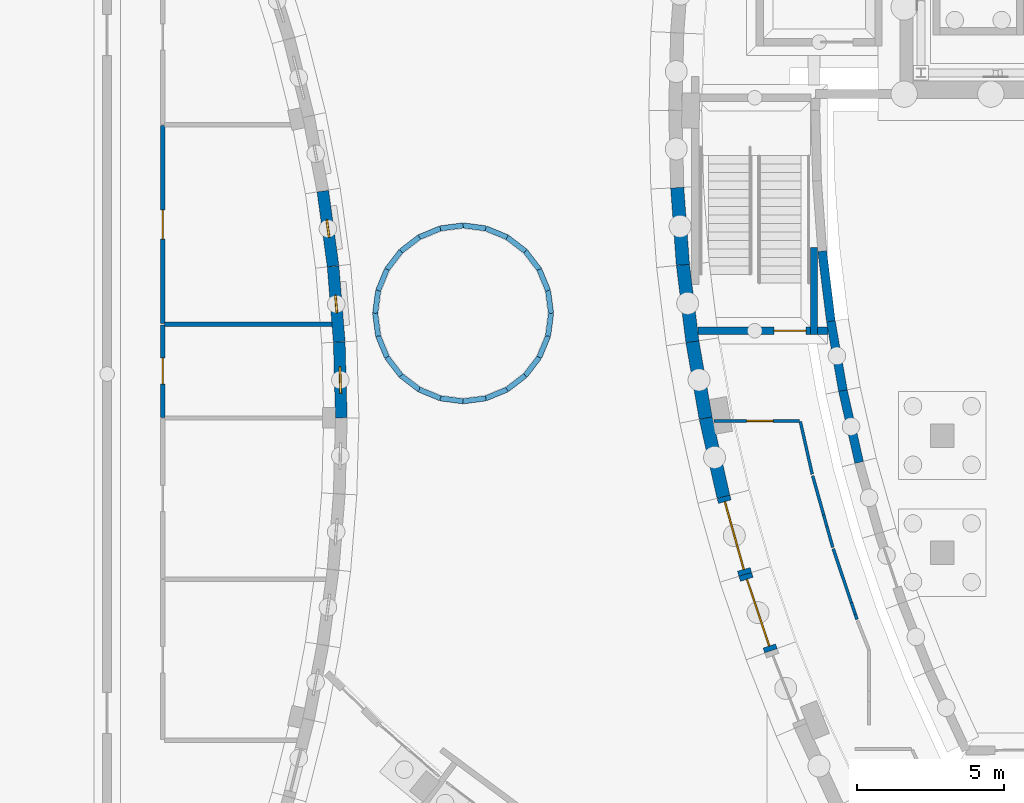
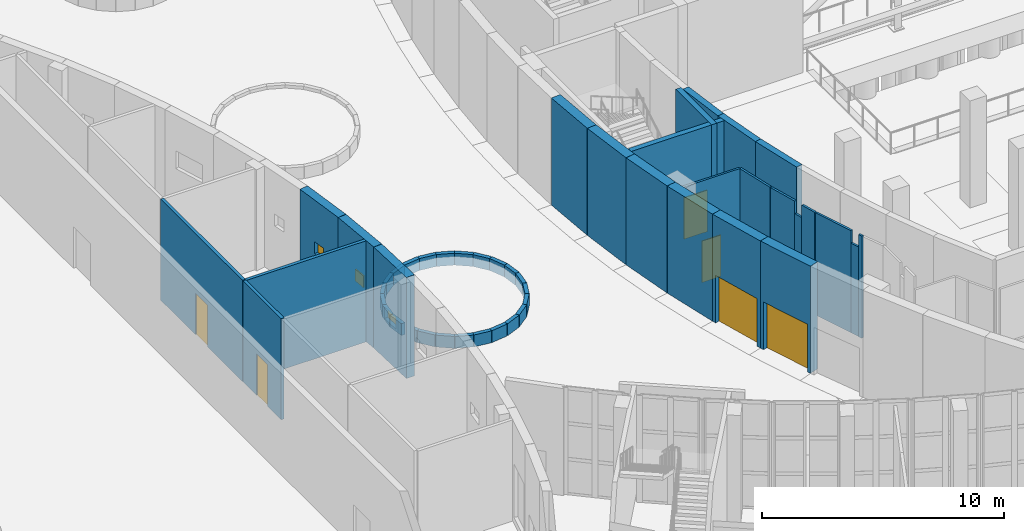
# One storey, part 45 of 82: 49 walls, 6 doors, 3 windows, 9 openings.
"""IFC4 building model written with IfcOpenShell, lengths in metres."""

from ifc_helpers import new_model, si_unit, direction, frame, frame_2d, origin, place, context, subcontext, project, spatial, rectangle, extrude, material, layer, layer_set, type_object, element, fill, save


model = new_model("IFC4")

# Units and contexts
model_context = context("Model", 3, precision=1e-05, world=origin(), true_north=direction((0.0, 1.0)))
body_context = subcontext(model_context, "Body", "Model", "MODEL_VIEW")
ifc_project = project(units=[si_unit("LENGTHUNIT", "METRE"), si_unit("AREAUNIT", "SQUARE_METRE"), si_unit("VOLUMEUNIT", "CUBIC_METRE"), si_unit("PLANEANGLEUNIT", "RADIAN"), si_unit("MASSUNIT", "GRAM", prefix="KILO")], contexts=[model_context])

# Site, building, storey
site_placement = place(None, origin())
site = spatial("IfcSite", under=ifc_project, at=site_placement, CompositionType="ELEMENT")
building_placement = place(site_placement, origin())
building = spatial("IfcBuilding", under=site, at=building_placement, Name="Tide Square Theatres", CompositionType="ELEMENT")
storey_placement = place(building_placement, origin())
storey = spatial("IfcBuildingStorey", under=building, at=storey_placement, Name="L00", CompositionType="ELEMENT", Elevation=0.0)

# Wall, opening, door
ifc_material_1 = material(Name="Gypsum board on steel studs", Category="steel")
ifc_layer_1 = layer(ifc_material_1, 0.10009765625)
ifc_layer_set_1 = layer_set([ifc_layer_1], Name="Gypsum board on steel studs")
wall_type_1 = type_object("IfcWallType", Name="Partition 100 thick", PredefinedType="PARTITIONING", material=ifc_layer_set_1)
wall_1_placement = place(storey_placement, frame((64.21826171875, 44.39990234375, 0.0), z_axis=(0.0, 0.0, 1.0), x_axis=(1.0, 0.0, 0.0)))
wall_1 = element("IfcWall", 1, at=wall_1_placement, inside=storey, type_object=wall_type_1, Name="Partition", PredefinedType="PARTITIONING", context=body_context, shape_type="SweptSolid", body=[
    extrude(rectangle(XDim=2.913818359375, YDim=0.10009765625, at=frame_2d((1.45703125, 0.0))), origin(), (0.0, 0.0, 1.0), 5.14990234375),
])
opening_1_placement = place(wall_1_placement, frame((1.10693359375, 0.0, 0.0)))
opening_1 = element("IfcOpeningElement", 2, at=opening_1_placement, cuts=wall_1, Name="Opening M00-29", PredefinedType="OPENING", context=body_context, shape_type="SweptSolid", body=[
    extrude(rectangle(XDim=0.89990234375, YDim=2.10009765625, at=frame_2d((0.449951171875, 1.050048828125))), frame((0.0, 0.06005859375, 0.0), z_axis=(0.0, -1.0, 0.0), x_axis=(1.0, 0.0, 0.0)), (0.0, 0.0, 1.0), 0.1201171875),
])
ifc_material_2 = material(Name="Hardwood timber", Category="wood")
door_type_1 = type_object("IfcDoorType", Name="Door 900 x 2100 single leaf", OperationType="NOTDEFINED", PredefinedType="DOOR", material=ifc_material_2)
door_1_placement = place(opening_1_placement, frame((0.89990234375, 0.0, 0.0), z_axis=(0.0, 0.0, 1.0), x_axis=(-1.0, 0.0, 0.0)))
door_1 = element("IfcDoor", 3, at=door_1_placement, inside=storey, type_object=door_type_1, Name="Wardrobe Workroom door", OperationType="SINGLE_SWING_LEFT", OverallHeight=2.10009765625, OverallWidth=0.89990234375, PredefinedType="DOOR", context=body_context, shape_type="SweptSolid", body=[
    extrude(rectangle(XDim=0.89990234375, YDim=2.10009765625, at=frame_2d((0.449951171875, 1.050048828125))), frame((0.0, 0.02490234375, 0.0), z_axis=(0.0, -1.0, 0.0), x_axis=(1.0, 0.0, 0.0)), (0.0, 0.0, 1.0), 0.050048828125),
])
fill(opening_1, door_1)

# Walls
wall_2_placement = place(storey_placement, frame((67.15771484375, 44.37158203125, 0.0), z_axis=(0.0, 0.0, 1.0), x_axis=(0.220375030029, -0.9754152173, 0.0)))
element("IfcWall", 4, at=wall_2_placement, inside=storey, type_object=wall_type_1, Name="Partition", PredefinedType="PARTITIONING", context=body_context, shape_type="SweptSolid", body=[
    extrude(rectangle(XDim=1.837890625, YDim=0.10009765625, at=frame_2d((0.9189453125, 0.0))), origin(), (0.0, 0.0, 1.0), 5.14990234375),
])
wall_3_placement = place(storey_placement, frame((67.576416015625, 42.530029296875, 0.0), z_axis=(0.0, 0.0, 1.0), x_axis=(0.270047530382, -0.962846992691, 0.0)))
element("IfcWall", 5, at=wall_3_placement, inside=storey, type_object=wall_type_1, Name="Partition", PredefinedType="PARTITIONING", context=body_context, shape_type="SweptSolid", body=[
    extrude(rectangle(XDim=1.3876953125, YDim=0.10009765625, at=frame_2d((0.69384765625, 0.0))), origin(), (0.0, 0.0, 1.0), 5.14990234375),
])
wall_4_placement = place(storey_placement, frame((67.951171875, 41.19384765625, 0.0), z_axis=(0.0, 0.0, 1.0), x_axis=(0.26983234105, -0.962907320423, 0.0)))
element("IfcWall", 6, at=wall_4_placement, inside=storey, type_object=wall_type_1, Name="Partition", PredefinedType="PARTITIONING", context=body_context, shape_type="SweptSolid", body=[
    extrude(rectangle(XDim=0.402587890625, YDim=0.10009765625, at=frame_2d((0.201171875, 0.0))), origin(), (0.0, 0.0, 1.0), 4.52001953125),
])
wall_5_placement = place(storey_placement, frame((68.059814453125, 40.80615234375, 0.0), z_axis=(0.0, 0.0, 1.0), x_axis=(0.270039714022, -0.962849184894, 0.0)))
element("IfcWall", 7, at=wall_5_placement, inside=storey, type_object=wall_type_1, Name="Partition", PredefinedType="PARTITIONING", context=body_context, shape_type="SweptSolid", body=[
    extrude(rectangle(XDim=0.751220703125, YDim=0.10009765625, at=frame_2d((0.37548828125, 0.0))), origin(), (0.0, 0.0, 1.0), 5.14990234375),
])
wall_6_placement = place(storey_placement, frame((68.27880859375, 40.034912109375, 0.0), z_axis=(0.0, 0.0, 1.0), x_axis=(0.318794077013, -0.947824000784, 0.0)))
element("IfcWall", 8, at=wall_6_placement, inside=storey, type_object=wall_type_1, Name="Partition", PredefinedType="PARTITIONING", context=body_context, shape_type="SweptSolid", body=[
    extrude(rectangle(XDim=1.93994140625, YDim=0.10009765625, at=frame_2d((0.969970703125, 0.0))), origin(), (0.0, 0.0, 1.0), 5.14990234375),
])
wall_7_placement = place(storey_placement, frame((68.897216796875, 38.1962890625, 0.0), z_axis=(0.0, 0.0, 1.0), x_axis=(0.318878942687, -0.947795452569, 0.0)))
element("IfcWall", 9, at=wall_7_placement, inside=storey, type_object=wall_type_1, Name="Partition", PredefinedType="PARTITIONING", context=body_context, shape_type="SweptSolid", body=[
    extrude(rectangle(XDim=0.414306640625, YDim=0.10009765625, at=frame_2d((0.20703125, 0.0))), origin(), (0.0, 0.0, 1.0), 4.52001953125),
])
wall_8_placement = place(storey_placement, frame((69.029296875, 37.8037109375, 0.0), z_axis=(0.0, 0.0, 1.0), x_axis=(0.319734887824, -0.947507045625, 0.0)))
element("IfcWall", 10, at=wall_8_placement, inside=storey, type_object=wall_type_1, Name="Partition", PredefinedType="PARTITIONING", context=body_context, shape_type="SweptSolid", body=[
    extrude(rectangle(XDim=0.187744140625, YDim=0.10009765625, at=frame_2d((0.09375, 0.0))), origin(), (0.0, 0.0, 1.0), 5.14990234375),
])

# Wall, opening, door
ifc_material_3 = material(Name="Gypsum board on steel studs", Category="steel")
ifc_layer_2 = layer(ifc_material_3, 0.14990234375)
ifc_layer_set_2 = layer_set([ifc_layer_2], Name="Gypsum board on steel studs")
wall_type_2 = type_object("IfcWallType", Name="Partition 150 thick", PredefinedType="PARTITIONING", material=ifc_layer_set_2)
wall_9_placement = place(storey_placement, frame((45.39990234375, 47.679931640625, 0.0), z_axis=(0.0, 0.0, 1.0), x_axis=(0.0, -1.0, 0.0)))
wall_9 = element("IfcWall", 11, at=wall_9_placement, inside=storey, type_object=wall_type_2, Name="Studio Theatre partition", PredefinedType="PARTITIONING", context=body_context, shape_type="SweptSolid", body=[
    extrude(rectangle(XDim=3.159912109375, YDim=0.14990234375, at=frame_2d((1.580078125, 0.0))), origin(), (0.0, 0.0, 1.0), 5.10009765625),
])
opening_2_placement = place(wall_9_placement, frame((1.1298828125, 0.0, 0.0)))
opening_2 = element("IfcOpeningElement", 12, at=opening_2_placement, cuts=wall_9, Name="Opening S00-21", PredefinedType="OPENING", context=body_context, shape_type="SweptSolid", body=[
    extrude(rectangle(XDim=0.89990234375, YDim=2.10009765625, at=frame_2d((0.449951171875, 1.050048828125))), frame((0.0, 0.0849609375, 0.0), z_axis=(0.0, -1.0, 0.0), x_axis=(1.0, 0.0, 0.0)), (0.0, 0.0, 1.0), 0.169921875),
])
door_2_placement = place(opening_2_placement, origin())
door_2 = element("IfcDoor", 13, at=door_2_placement, inside=storey, type_object=door_type_1, Name="Accessible WC door", OperationType="SINGLE_SWING_RIGHT", OverallHeight=2.10009765625, OverallWidth=0.89990234375, PredefinedType="DOOR", context=body_context, shape_type="SweptSolid", body=[
    extrude(rectangle(XDim=0.89990234375, YDim=2.10009765625, at=frame_2d((0.449951171875, 1.050048828125))), frame((0.0, 0.02490234375, 0.0), z_axis=(0.0, -1.0, 0.0), x_axis=(1.0, 0.0, 0.0)), (0.0, 0.0, 1.0), 0.050048828125),
])
fill(opening_2, door_2)

wall_10_placement = place(storey_placement, frame((45.39990234375, 54.47998046875, 0.0), z_axis=(0.0, 0.0, 1.0), x_axis=(0.0, -1.0, 0.0)))
wall_10 = element("IfcWall", 14, at=wall_10_placement, inside=storey, type_object=wall_type_2, Name="Studio Theatre partition", PredefinedType="PARTITIONING", context=body_context, shape_type="SweptSolid", body=[
    extrude(rectangle(XDim=6.760009765625, YDim=0.14990234375, at=frame_2d((3.3798828125, 0.0))), origin(), (0.0, 0.0, 1.0), 5.10009765625),
])
opening_3_placement = place(wall_10_placement, frame((2.8798828125, 0.0, 0.0)))
opening_3 = element("IfcOpeningElement", 15, at=opening_3_placement, cuts=wall_10, Name="Opening S00-22", PredefinedType="OPENING", context=body_context, shape_type="SweptSolid", body=[
    extrude(rectangle(XDim=1.0, YDim=2.10009765625, at=frame_2d((0.5, 1.050048828125))), frame((0.0, 0.0849609375, 0.0), z_axis=(0.0, -1.0, 0.0), x_axis=(1.0, 0.0, 0.0)), (0.0, 0.0, 1.0), 0.169921875),
])
ifc_material_4 = material(Name="Hardwood timber", Category="wood")
door_type_2 = type_object("IfcDoorType", Name="Door 1000 x 2100 single leaf", OperationType="NOTDEFINED", PredefinedType="DOOR", material=ifc_material_4)
door_3_placement = place(opening_3_placement, origin())
door_3 = element("IfcDoor", 16, at=door_3_placement, inside=storey, type_object=door_type_2, Name="Plant Room 01 door", OperationType="SINGLE_SWING_RIGHT", OverallHeight=2.10009765625, OverallWidth=1.0, PredefinedType="DOOR", context=body_context, shape_type="SweptSolid", body=[
    extrude(rectangle(XDim=1.0, YDim=2.10009765625, at=frame_2d((0.5, 1.050048828125))), frame((0.0, 0.02490234375, 0.0), z_axis=(0.0, -1.0, 0.0), x_axis=(1.0, 0.0, 0.0)), (0.0, 0.0, 1.0), 0.050048828125),
])
fill(opening_3, door_3)

# Wall
wall_11_placement = place(storey_placement, frame((45.4599609375, 47.699951171875, 0.0), z_axis=(0.0, 0.0, 1.0), x_axis=(1.0, 0.0, 0.0)))
element("IfcWall", 17, at=wall_11_placement, inside=storey, type_object=wall_type_2, Name="Studio Theatre partition", PredefinedType="PARTITIONING", context=body_context, shape_type="SweptSolid", body=[
    extrude(rectangle(XDim=5.712646484375, YDim=0.14990234375, at=frame_2d((2.8564453125, 0.0))), origin(), (0.0, 0.0, 1.0), 5.10009765625),
])

# Wall, opening, window
ifc_material_5 = material(Name="Concrete C40", Category="concrete")
ifc_layer_3 = layer(ifc_material_5, 0.39990234375)
ifc_layer_set_3 = layer_set([ifc_layer_3], Name="Concrete C40")
wall_type_3 = type_object("IfcWallType", Name="RC curved wall 400 thick", PredefinedType="SOLIDWALL", material=ifc_layer_set_3)
wall_12_placement = place(storey_placement, frame((51.49267578125, 44.50537109375, 0.0), z_axis=(0.0, 0.0, 1.0), x_axis=(-0.027139748682, 0.99963164918, 0.0)))
wall_12 = element("IfcWall", 18, at=wall_12_placement, inside=storey, type_object=wall_type_3, Name="Studio Theatre perimeter wall", PredefinedType="SOLIDWALL", context=body_context, shape_type="SweptSolid", body=[
    extrude(rectangle(XDim=2.581787109375, YDim=0.39990234375, at=frame_2d((1.291015625, 0.0))), origin(), (0.0, 0.0, 1.0), 5.10009765625),
])
opening_4_placement = place(wall_12_placement, frame((0.8408203125, 0.0, 2.0)))
opening_4 = element("IfcOpeningElement", 19, at=opening_4_placement, cuts=wall_12, Name="Opening WN-12", PredefinedType="OPENING", context=body_context, shape_type="SweptSolid", body=[
    extrude(rectangle(XDim=0.89990234375, YDim=0.60009765625, at=frame_2d((0.449951171875, 0.300048828125))), frame((0.0, 0.2099609375, 0.0), z_axis=(0.0, -1.0, 0.0), x_axis=(1.0, 0.0, 0.0)), (0.0, 0.0, 1.0), 0.419921875),
])
ifc_material_6 = material(Name="Aluminium with laminated glass", Category="aluminium")
window_type_1 = type_object("IfcWindowType", Name="Window 900 x 600", PartitioningType="SINGLE_PANEL", PredefinedType="WINDOW", material=ifc_material_6)
window_1_placement = place(opening_4_placement, origin())
window_1 = element("IfcWindow", 20, at=window_1_placement, inside=storey, type_object=window_type_1, Name="Studio Theatre Accessible WC window", OverallHeight=0.60009765625, OverallWidth=0.89990234375, PartitioningType="SINGLE_PANEL", PredefinedType="WINDOW", context=body_context, shape_type="SweptSolid", body=[
    extrude(rectangle(XDim=0.89990234375, YDim=0.60009765625, at=frame_2d((0.449951171875, 0.300048828125))), frame((0.0, 0.030029296875, 0.0), z_axis=(0.0, -1.0, 0.0), x_axis=(1.0, 0.0, 0.0)), (0.0, 0.0, 1.0), 0.06005859375),
])
fill(opening_4, window_1)

wall_13_placement = place(storey_placement, frame((51.422119140625, 47.096923828125, 0.0), z_axis=(0.0, 0.0, 1.0), x_axis=(-0.081323667998, 0.996687744995, 0.0)))
wall_13 = element("IfcWall", 21, at=wall_13_placement, inside=storey, type_object=wall_type_3, Name="Studio Theatre perimeter wall", PredefinedType="SOLIDWALL", context=body_context, shape_type="SweptSolid", body=[
    extrude(rectangle(XDim=2.581787109375, YDim=0.39990234375, at=frame_2d((1.291015625, 0.0))), origin(), (0.0, 0.0, 1.0), 5.10009765625),
])
opening_5_placement = place(wall_13_placement, frame((0.990966796875, 0.0, 2.39990234375)))
opening_5 = element("IfcOpeningElement", 22, at=opening_5_placement, cuts=wall_13, Name="Opening WN-13", PredefinedType="OPENING", context=body_context, shape_type="SweptSolid", body=[
    extrude(rectangle(XDim=0.60009765625, YDim=0.60009765625, at=frame_2d((0.300048828125, 0.300048828125))), frame((0.0, 0.2099609375, 0.0), z_axis=(0.0, -1.0, 0.0), x_axis=(1.0, 0.0, 0.0)), (0.0, 0.0, 1.0), 0.419921875),
])
ifc_material_7 = material(Name="Aluminium with laminated glass", Category="aluminium")
window_type_2 = type_object("IfcWindowType", Name="Window 600 x 600", PartitioningType="SINGLE_PANEL", PredefinedType="WINDOW", material=ifc_material_7)
window_2_placement = place(opening_5_placement, origin())
window_2 = element("IfcWindow", 23, at=window_2_placement, inside=storey, type_object=window_type_2, Name="Studio Theatre Plant Room 01 window", OverallHeight=0.60009765625, OverallWidth=0.60009765625, PartitioningType="SINGLE_PANEL", PredefinedType="WINDOW", context=body_context, shape_type="SweptSolid", body=[
    extrude(rectangle(XDim=0.60009765625, YDim=0.60009765625, at=frame_2d((0.300048828125, 0.300048828125))), frame((0.0, 0.030029296875, 0.0), z_axis=(0.0, -1.0, 0.0), x_axis=(1.0, 0.0, 0.0)), (0.0, 0.0, 1.0), 0.06005859375),
])
fill(opening_5, window_2)

wall_14_placement = place(storey_placement, frame((51.211181640625, 49.680908203125, 0.0), z_axis=(0.0, 0.0, 1.0), x_axis=(-0.13522291824, 0.990815200924, 0.0)))
wall_14 = element("IfcWall", 24, at=wall_14_placement, inside=storey, type_object=wall_type_3, Name="Studio Theatre perimeter wall", PredefinedType="SOLIDWALL", context=body_context, shape_type="SweptSolid", body=[
    extrude(rectangle(XDim=2.581787109375, YDim=0.39990234375, at=frame_2d((1.291015625, 0.0))), origin(), (0.0, 0.0, 1.0), 5.10009765625),
])
opening_6_placement = place(wall_14_placement, frame((0.990966796875, 0.0, 2.39990234375)))
opening_6 = element("IfcOpeningElement", 25, at=opening_6_placement, cuts=wall_14, Name="Opening WN-13", PredefinedType="OPENING", context=body_context, shape_type="SweptSolid", body=[
    extrude(rectangle(XDim=0.60009765625, YDim=0.60009765625, at=frame_2d((0.300048828125, 0.300048828125))), frame((0.0, 0.2099609375, 0.0), z_axis=(0.0, -1.0, 0.0), x_axis=(1.0, 0.0, 0.0)), (0.0, 0.0, 1.0), 0.419921875),
])
window_3_placement = place(opening_6_placement, origin())
window_3 = element("IfcWindow", 26, at=window_3_placement, inside=storey, type_object=window_type_2, Name="Studio Theatre Plant Room 01 window", OverallHeight=0.60009765625, OverallWidth=0.60009765625, PartitioningType="SINGLE_PANEL", PredefinedType="WINDOW", context=body_context, shape_type="SweptSolid", body=[
    extrude(rectangle(XDim=0.60009765625, YDim=0.60009765625, at=frame_2d((0.300048828125, 0.300048828125))), frame((0.0, 0.030029296875, 0.0), z_axis=(0.0, -1.0, 0.0), x_axis=(1.0, 0.0, 0.0)), (0.0, 0.0, 1.0), 0.06005859375),
])
fill(opening_6, window_3)

# Walls
ifc_material_8 = material(Name="Concrete C40", Category="concrete")
ifc_layer_4 = layer(ifc_material_8, 0.449951171875)
ifc_layer_set_4 = layer_set([ifc_layer_4], Name="Concrete C40")
wall_type_4 = type_object("IfcWallType", Name="RC curved wall 450 thick", PredefinedType="SOLIDWALL", material=ifc_layer_set_4)
wall_15_placement = place(storey_placement, frame((62.955078125, 52.358154296875, 0.0), z_axis=(0.0, 0.0, 1.0), x_axis=(0.07363685767, -0.997285121313, 0.0)))
element("IfcWall", 27, at=wall_15_placement, inside=storey, type_object=wall_type_4, Name="Main Theatre perimeter wall", PredefinedType="SOLIDWALL", context=body_context, shape_type="SweptSolid", body=[
    extrude(rectangle(XDim=2.642333984375, YDim=0.449951171875, at=frame_2d((1.3212890625, 0.0))), origin(), (0.0, 0.0, 1.0), 5.39990234375),
])
wall_16_placement = place(storey_placement, frame((63.149658203125, 49.722900390625, 0.0), z_axis=(0.0, 0.0, 1.0), x_axis=(0.122499610212, -0.992468561466, 0.0)))
element("IfcWall", 28, at=wall_16_placement, inside=storey, type_object=wall_type_4, Name="Main Theatre perimeter wall", PredefinedType="SOLIDWALL", context=body_context, shape_type="SweptSolid", body=[
    extrude(rectangle(XDim=2.642822265625, YDim=0.449951171875, at=frame_2d((1.3212890625, 0.0))), origin(), (0.0, 0.0, 1.0), 5.39990234375),
])
wall_17_placement = place(storey_placement, frame((63.473388671875, 47.10009765625, 0.0), z_axis=(0.0, 0.0, 1.0), x_axis=(0.171196910379, -0.985236833394, 0.0)))
element("IfcWall", 29, at=wall_17_placement, inside=storey, type_object=wall_type_4, Name="Main Theatre perimeter wall", PredefinedType="SOLIDWALL", context=body_context, shape_type="SweptSolid", body=[
    extrude(rectangle(XDim=2.642578125, YDim=0.449951171875, at=frame_2d((1.3212890625, 0.0))), origin(), (0.0, 0.0, 1.0), 5.39990234375),
])
wall_18_placement = place(storey_placement, frame((63.92578125, 44.49658203125, 0.0), z_axis=(0.0, 0.0, 1.0), x_axis=(0.220347996563, -0.975421324562, 0.0)))
element("IfcWall", 30, at=wall_18_placement, inside=storey, type_object=wall_type_4, Name="Main Theatre perimeter wall", PredefinedType="SOLIDWALL", context=body_context, shape_type="SweptSolid", body=[
    extrude(rectangle(XDim=2.752197265625, YDim=0.449951171875, at=frame_2d((1.3759765625, 0.0))), origin(), (0.0, 0.0, 1.0), 5.39990234375),
])

# Wall, opening, door
wall_19_placement = place(storey_placement, frame((64.5322265625, 41.81201171875, 0.0), z_axis=(0.0, 0.0, 1.0), x_axis=(0.270008269196, -0.962858003324, 0.0)))
wall_19 = element("IfcWall", 31, at=wall_19_placement, inside=storey, type_object=wall_type_4, Name="Main Theatre perimeter wall", PredefinedType="SOLIDWALL", context=body_context, shape_type="SweptSolid", body=[
    extrude(rectangle(XDim=2.75244140625, YDim=0.449951171875, at=frame_2d((1.376220703125, 0.0))), origin(), (0.0, 0.0, 1.0), 5.39990234375),
])
opening_7_placement = place(wall_19_placement, frame((0.176025390625, 0.0, 0.0)))
opening_7 = element("IfcOpeningElement", 32, at=opening_7_placement, cuts=wall_19, Name="Opening M00-13", PredefinedType="OPENING", context=body_context, shape_type="SweptSolid", body=[
    extrude(rectangle(XDim=2.39990234375, YDim=2.39990234375, at=frame_2d((1.199951171875, 1.199951171875))), frame((0.0, 0.23486328125, 0.0), z_axis=(0.0, -1.0, 0.0), x_axis=(1.0, 0.0, 0.0)), (0.0, 0.0, 1.0), 0.469970703125),
])
ifc_material_9 = material(Name="Hardwood timber", Category="wood")
door_type_3 = type_object("IfcDoorType", Name="Door 2400 x 2400 double leaf", OperationType="DOUBLE_DOOR_SINGLE_SWING", PredefinedType="DOOR", material=ifc_material_9)
door_4_placement = place(opening_7_placement, frame((2.39990234375, 0.0, 0.0), z_axis=(0.0, 0.0, 1.0), x_axis=(-1.0, 0.0, 0.0)))
door_4 = element("IfcDoor", 33, at=door_4_placement, inside=storey, type_object=door_type_3, Name="Main Theatre exit doors", OperationType="DOUBLE_DOOR_SINGLE_SWING", OverallHeight=2.39990234375, OverallWidth=2.39990234375, PredefinedType="DOOR", context=body_context, shape_type="SweptSolid", body=[
    extrude(rectangle(XDim=2.39990234375, YDim=2.39990234375, at=frame_2d((1.199951171875, 1.199951171875))), frame((0.0, 0.02490234375, 0.0), z_axis=(0.0, -1.0, 0.0), x_axis=(1.0, 0.0, 0.0)), (0.0, 0.0, 1.0), 0.050048828125),
])
fill(opening_7, door_4)

wall_20_placement = place(storey_placement, frame((65.275390625, 39.161865234375, 0.0), z_axis=(0.0, 0.0, 1.0), x_axis=(0.318887614688, -0.947792534893, 0.0)))
wall_20 = element("IfcWall", 34, at=wall_20_placement, inside=storey, type_object=wall_type_4, Name="Main Theatre perimeter wall", PredefinedType="SOLIDWALL", context=body_context, shape_type="SweptSolid", body=[
    extrude(rectangle(XDim=2.75244140625, YDim=0.449951171875, at=frame_2d((1.376220703125, 0.0))), origin(), (0.0, 0.0, 1.0), 5.39990234375),
])
opening_8_placement = place(wall_20_placement, frame((0.176025390625, 0.0, 0.0)))
opening_8 = element("IfcOpeningElement", 35, at=opening_8_placement, cuts=wall_20, Name="Opening M00-12", PredefinedType="OPENING", context=body_context, shape_type="SweptSolid", body=[
    extrude(rectangle(XDim=2.39990234375, YDim=2.39990234375, at=frame_2d((1.199951171875, 1.199951171875))), frame((0.0, 0.23486328125, 0.0), z_axis=(0.0, -1.0, 0.0), x_axis=(1.0, 0.0, 0.0)), (0.0, 0.0, 1.0), 0.469970703125),
])
door_5_placement = place(opening_8_placement, frame((2.39990234375, 0.0, 0.0), z_axis=(0.0, 0.0, 1.0), x_axis=(-1.0, 0.0, 0.0)))
door_5 = element("IfcDoor", 36, at=door_5_placement, inside=storey, type_object=door_type_3, Name="Main Theatre exit doors", OperationType="DOUBLE_DOOR_SINGLE_SWING", OverallHeight=2.39990234375, OverallWidth=2.39990234375, PredefinedType="DOOR", context=body_context, shape_type="SweptSolid", body=[
    extrude(rectangle(XDim=2.39990234375, YDim=2.39990234375, at=frame_2d((1.199951171875, 1.199951171875))), frame((0.0, 0.02490234375, 0.0), z_axis=(0.0, -1.0, 0.0), x_axis=(1.0, 0.0, 0.0)), (0.0, 0.0, 1.0), 0.050048828125),
])
fill(opening_8, door_5)

# Walls
ifc_material_10 = material(Name="Concrete C40", Category="concrete")
ifc_layer_5 = layer(ifc_material_10, 0.179931640625)
ifc_layer_set_5 = layer_set([ifc_layer_5], Name="Concrete C40")
wall_type_5 = type_object("IfcWallType", Name="RC parapet 180 thick", PredefinedType="PARAPET", material=ifc_layer_set_5)
wall_21_placement = place(storey_placement, frame((58.64892578125, 48.0693359375, 0.0), z_axis=(0.0, 0.0, 1.0), x_axis=(-0.130591571678, -0.991436251812, 0.0)))
element("IfcWall", 37, at=wall_21_placement, inside=storey, type_object=wall_type_5, Name="Planter wall", PredefinedType="PARAPET", context=body_context, shape_type="SweptSolid", body=[
    extrude(rectangle(XDim=0.783203125, YDim=0.179931640625, at=frame_2d((0.3916015625, 0.0))), origin(), (0.0, 0.0, 1.0), 0.60009765625),
])
wall_22_placement = place(storey_placement, frame((58.546630859375, 47.292724609375, 0.0), z_axis=(0.0, 0.0, 1.0), x_axis=(-0.382599649866, -0.923914231908, 0.0)))
element("IfcWall", 38, at=wall_22_placement, inside=storey, type_object=wall_type_5, Name="Planter wall", PredefinedType="PARAPET", context=body_context, shape_type="SweptSolid", body=[
    extrude(rectangle(XDim=0.782958984375, YDim=0.179931640625, at=frame_2d((0.3916015625, 0.0))), origin(), (0.0, 0.0, 1.0), 0.60009765625),
])
for number, where, z_axis, x_axis, name in (
    (39, (58.2470703125, 46.5693359375, 0.0), (0.0, 0.0, 1.0), (-0.608791411033, -0.793330333374, 0.0), "Planter wall"),
    (40, (57.770263671875, 45.947998046875, 0.0), (0.0, 0.0, 1.0), (-0.793330333374, -0.608791411033, 0.0), "Planter wall"),
    (41, (57.14892578125, 45.47119140625, 0.0), (0.0, 0.0, 1.0), (-0.923849665613, -0.382755529478, 0.0), "Planter wall"),
):
    element("IfcWall", number, at=place(storey_placement, frame(where, z_axis=z_axis, x_axis=x_axis)), inside=storey, type_object=wall_type_5, Name=name, PredefinedType="PARAPET", context=body_context, shape_type="SweptSolid", body=[
        extrude(rectangle(XDim=0.783203125, YDim=0.179931640625, at=frame_2d((0.3916015625, 0.0))), origin(), (0.0, 0.0, 1.0), 0.60009765625),
    ])
wall_23_placement = place(storey_placement, frame((56.42529296875, 45.17138671875, 0.0), z_axis=(0.0, 0.0, 1.0), x_axis=(-0.9914712665, -0.130325468364, 0.0)))
element("IfcWall", 42, at=wall_23_placement, inside=storey, type_object=wall_type_5, Name="Planter wall", PredefinedType="PARAPET", context=body_context, shape_type="SweptSolid", body=[
    extrude(rectangle(XDim=0.782958984375, YDim=0.179931640625, at=frame_2d((0.3916015625, 0.0))), origin(), (0.0, 0.0, 1.0), 0.60009765625),
])
wall_24_placement = place(storey_placement, frame((55.64892578125, 45.0693359375, 0.0), z_axis=(0.0, 0.0, 1.0), x_axis=(-0.991476559602, 0.130285193937, 0.0)))
element("IfcWall", 43, at=wall_24_placement, inside=storey, type_object=wall_type_5, Name="Planter wall", PredefinedType="PARAPET", context=body_context, shape_type="SweptSolid", body=[
    extrude(rectangle(XDim=0.783203125, YDim=0.179931640625, at=frame_2d((0.3916015625, 0.0))), origin(), (0.0, 0.0, 1.0), 0.60009765625),
])
wall_25_placement = place(storey_placement, frame((54.872314453125, 45.17138671875, 0.0), z_axis=(0.0, 0.0, 1.0), x_axis=(-0.923803982713, 0.382865774813, 0.0)))
element("IfcWall", 44, at=wall_25_placement, inside=storey, type_object=wall_type_5, Name="Planter wall", PredefinedType="PARAPET", context=body_context, shape_type="SweptSolid", body=[
    extrude(rectangle(XDim=0.782958984375, YDim=0.179931640625, at=frame_2d((0.3916015625, 0.0))), origin(), (0.0, 0.0, 1.0), 0.60009765625),
])
for number, where, z_axis, x_axis, name in (
    (45, (54.14892578125, 45.47119140625, 0.0), (0.0, 0.0, 1.0), (-0.793330333374, 0.608791411033, 0.0), "Planter wall"),
    (46, (53.527587890625, 45.947998046875, 0.0), (0.0, 0.0, 1.0), (-0.608791411033, 0.793330333374, 0.0), "Planter wall"),
):
    element("IfcWall", number, at=place(storey_placement, frame(where, z_axis=z_axis, x_axis=x_axis)), inside=storey, type_object=wall_type_5, Name=name, PredefinedType="PARAPET", context=body_context, shape_type="SweptSolid", body=[
        extrude(rectangle(XDim=0.783203125, YDim=0.179931640625, at=frame_2d((0.3916015625, 0.0))), origin(), (0.0, 0.0, 1.0), 0.60009765625),
    ])
wall_26_placement = place(storey_placement, frame((53.05078125, 46.5693359375, 0.0), z_axis=(0.0, 0.0, 1.0), x_axis=(-0.382599649866, 0.923914231908, 0.0)))
element("IfcWall", 47, at=wall_26_placement, inside=storey, type_object=wall_type_5, Name="Planter wall", PredefinedType="PARAPET", context=body_context, shape_type="SweptSolid", body=[
    extrude(rectangle(XDim=0.782958984375, YDim=0.179931640625, at=frame_2d((0.3916015625, 0.0))), origin(), (0.0, 0.0, 1.0), 0.60009765625),
])
wall_27_placement = place(storey_placement, frame((52.751220703125, 47.292724609375, 0.0), z_axis=(0.0, 0.0, 1.0), x_axis=(-0.130591571678, 0.991436251812, 0.0)))
element("IfcWall", 48, at=wall_27_placement, inside=storey, type_object=wall_type_5, Name="Planter wall", PredefinedType="PARAPET", context=body_context, shape_type="SweptSolid", body=[
    extrude(rectangle(XDim=0.783203125, YDim=0.179931640625, at=frame_2d((0.3916015625, 0.0))), origin(), (0.0, 0.0, 1.0), 0.60009765625),
])
wall_28_placement = place(storey_placement, frame((52.64892578125, 48.0693359375, 0.0), z_axis=(0.0, 0.0, 1.0), x_axis=(0.130631937531, 0.991430934002, 0.0)))
element("IfcWall", 49, at=wall_28_placement, inside=storey, type_object=wall_type_5, Name="Planter wall", PredefinedType="PARAPET", context=body_context, shape_type="SweptSolid", body=[
    extrude(rectangle(XDim=0.782958984375, YDim=0.179931640625, at=frame_2d((0.3916015625, 0.0))), origin(), (0.0, 0.0, 1.0), 0.60009765625),
])
for number, where, z_axis, x_axis, name in (
    (50, (52.751220703125, 48.845703125, 0.0), (0.0, 0.0, 1.0), (0.382489454875, 0.923959856763, 0.0), "Planter wall"),
    (51, (53.05078125, 49.5693359375, 0.0), (0.0, 0.0, 1.0), (0.608791411033, 0.793330333374, 0.0), "Planter wall"),
    (52, (53.527587890625, 50.190673828125, 0.0), (0.0, 0.0, 1.0), (0.793330333374, 0.608791411033, 0.0), "Planter wall"),
):
    element("IfcWall", number, at=place(storey_placement, frame(where, z_axis=z_axis, x_axis=x_axis)), inside=storey, type_object=wall_type_5, Name=name, PredefinedType="PARAPET", context=body_context, shape_type="SweptSolid", body=[
        extrude(rectangle(XDim=0.783203125, YDim=0.179931640625, at=frame_2d((0.3916015625, 0.0))), origin(), (0.0, 0.0, 1.0), 0.60009765625),
    ])
wall_29_placement = place(storey_placement, frame((54.14892578125, 50.66748046875, 0.0), z_axis=(0.0, 0.0, 1.0), x_axis=(0.923914231908, 0.382599649866, 0.0)))
element("IfcWall", 53, at=wall_29_placement, inside=storey, type_object=wall_type_5, Name="Planter wall", PredefinedType="PARAPET", context=body_context, shape_type="SweptSolid", body=[
    extrude(rectangle(XDim=0.782958984375, YDim=0.179931640625, at=frame_2d((0.3916015625, 0.0))), origin(), (0.0, 0.0, 1.0), 0.60009765625),
])
wall_30_placement = place(storey_placement, frame((54.872314453125, 50.967041015625, 0.0), z_axis=(0.0, 0.0, 1.0), x_axis=(0.991436251812, 0.130591571678, 0.0)))
element("IfcWall", 54, at=wall_30_placement, inside=storey, type_object=wall_type_5, Name="Planter wall", PredefinedType="PARAPET", context=body_context, shape_type="SweptSolid", body=[
    extrude(rectangle(XDim=0.783203125, YDim=0.179931640625, at=frame_2d((0.3916015625, 0.0))), origin(), (0.0, 0.0, 1.0), 0.60009765625),
])
wall_31_placement = place(storey_placement, frame((55.64892578125, 51.0693359375, 0.0), z_axis=(0.0, 0.0, 1.0), x_axis=(0.991430934002, -0.130631937531, 0.0)))
element("IfcWall", 55, at=wall_31_placement, inside=storey, type_object=wall_type_5, Name="Planter wall", PredefinedType="PARAPET", context=body_context, shape_type="SweptSolid", body=[
    extrude(rectangle(XDim=0.782958984375, YDim=0.179931640625, at=frame_2d((0.3916015625, 0.0))), origin(), (0.0, 0.0, 1.0), 0.60009765625),
])
for number, where, z_axis, x_axis, name in (
    (56, (56.42529296875, 50.967041015625, 0.0), (0.0, 0.0, 1.0), (0.923959856763, -0.382489454875, 0.0), "Planter wall"),
    (57, (57.14892578125, 50.66748046875, 0.0), (0.0, 0.0, 1.0), (0.793330333374, -0.608791411033, 0.0), "Planter wall"),
    (58, (57.770263671875, 50.190673828125, 0.0), (0.0, 0.0, 1.0), (0.608791411033, -0.793330333374, 0.0), "Planter wall"),
    (59, (58.2470703125, 49.5693359375, 0.0), (0.0, 0.0, 1.0), (0.382489454875, -0.923959856763, 0.0), "Planter wall"),
):
    element("IfcWall", number, at=place(storey_placement, frame(where, z_axis=z_axis, x_axis=x_axis)), inside=storey, type_object=wall_type_5, Name=name, PredefinedType="PARAPET", context=body_context, shape_type="SweptSolid", body=[
        extrude(rectangle(XDim=0.783203125, YDim=0.179931640625, at=frame_2d((0.3916015625, 0.0))), origin(), (0.0, 0.0, 1.0), 0.60009765625),
    ])
wall_32_placement = place(storey_placement, frame((58.546630859375, 48.845703125, 0.0), z_axis=(0.0, 0.0, 1.0), x_axis=(0.130631937531, -0.991430934002, 0.0)))
element("IfcWall", 60, at=wall_32_placement, inside=storey, type_object=wall_type_5, Name="Planter wall", PredefinedType="PARAPET", context=body_context, shape_type="SweptSolid", body=[
    extrude(rectangle(XDim=0.782958984375, YDim=0.179931640625, at=frame_2d((0.3916015625, 0.0))), origin(), (0.0, 0.0, 1.0), 0.60009765625),
])
ifc_material_11 = material(Name="Concrete C40", Category="concrete")
ifc_layer_6 = layer(ifc_material_11, 0.25)
ifc_layer_set_6 = layer_set([ifc_layer_6], Name="Concrete C40")
wall_type_6 = type_object("IfcWallType", Name="RC shear wall 250 thick", PredefinedType="SHEAR", material=ifc_layer_set_6)
wall_33_placement = place(storey_placement, frame((67.625, 47.35009765625, 0.0), z_axis=(0.0, 0.0, 1.0), x_axis=(0.0, 1.0, 0.0)))
element("IfcWall", 61, at=wall_33_placement, inside=storey, type_object=wall_type_6, Name="Main Theatre West Circle Stair shaft wall", PredefinedType="SHEAR", context=body_context, shape_type="SweptSolid", body=[
    extrude(rectangle(XDim=2.968017578125, YDim=0.25, at=frame_2d((1.48388671875, 0.0))), origin(), (0.0, 0.0, 1.0), 5.39990234375),
])

# Wall, opening, door
wall_34_placement = place(storey_placement, frame((68.10009765625, 47.47509765625, 0.0), z_axis=(0.0, 0.0, 1.0), x_axis=(-1.0, 0.0, 0.0)))
wall_34 = element("IfcWall", 62, at=wall_34_placement, inside=storey, type_object=wall_type_6, Name="Main Theatre West Circle Stair shaft wall", PredefinedType="SHEAR", context=body_context, shape_type="SweptSolid", body=[
    extrude(rectangle(XDim=4.43017578125, YDim=0.25, at=frame_2d((2.215087890625, 0.0))), origin(), (0.0, 0.0, 1.0), 5.39990234375),
])
opening_9_placement = place(wall_34_placement, frame((0.75, 0.0, 0.0)))
opening_9 = element("IfcOpeningElement", 63, at=opening_9_placement, cuts=wall_34, Name="Opening M00-05", PredefinedType="OPENING", context=body_context, shape_type="SweptSolid", body=[
    extrude(rectangle(XDim=1.10009765625, YDim=2.10009765625, at=frame_2d((0.550048828125, 1.050048828125))), frame((0.0, 0.135009765625, 0.0), z_axis=(0.0, -1.0, 0.0), x_axis=(1.0, 0.0, 0.0)), (0.0, 0.0, 1.0), 0.27001953125),
])
ifc_material_12 = material(Name="Painted steel", Category="steel")
door_type_4 = type_object("IfcDoorType", Name="Door 1100 x 2100 single leaf", OperationType="NOTDEFINED", PredefinedType="DOOR", material=ifc_material_12)
door_6_placement = place(opening_9_placement, origin())
door_6 = element("IfcDoor", 64, at=door_6_placement, inside=storey, type_object=door_type_4, Name="Main Theatre West Circle Stair stair door", OperationType="SINGLE_SWING_RIGHT", OverallHeight=2.10009765625, OverallWidth=1.10009765625, PredefinedType="DOOR", context=body_context, shape_type="SweptSolid", body=[
    extrude(rectangle(XDim=1.10009765625, YDim=2.10009765625, at=frame_2d((0.550048828125, 1.050048828125))), frame((0.0, 0.02490234375, 0.0), z_axis=(0.0, -1.0, 0.0), x_axis=(1.0, 0.0, 0.0)), (0.0, 0.0, 1.0), 0.050048828125),
])
fill(opening_9, door_6)

# Walls
ifc_material_13 = material(Name="Concrete C40", Category="concrete")
ifc_layer_7 = layer(ifc_material_13, 0.300048828125)
ifc_layer_set_7 = layer_set([ifc_layer_7], Name="Concrete C40")
wall_type_7 = type_object("IfcWallType", Name="RC shear wall 300 thick", PredefinedType="SHEAR", material=ifc_layer_set_7)
wall_35_placement = place(storey_placement, frame((67.903076171875, 50.19140625, 0.0), z_axis=(0.0, 0.0, 1.0), x_axis=(0.122487115362, -0.992470103615, 0.0)))
element("IfcWall", 65, at=wall_35_placement, inside=storey, type_object=wall_type_7, Name="Main Theatre auditorium wall", PredefinedType="SHEAR", context=body_context, shape_type="SweptSolid", body=[
    extrude(rectangle(XDim=2.40771484375, YDim=0.300048828125, at=frame_2d((1.203857421875, 0.0))), origin(), (0.0, 0.0, 1.0), 5.39990234375),
])
wall_36_placement = place(storey_placement, frame((68.197998046875, 47.8017578125, 0.0), z_axis=(0.0, 0.0, 1.0), x_axis=(0.171225522804, -0.985231861209, 0.0)))
element("IfcWall", 66, at=wall_36_placement, inside=storey, type_object=wall_type_7, Name="Main Theatre auditorium wall", PredefinedType="SHEAR", context=body_context, shape_type="SweptSolid", body=[
    extrude(rectangle(XDim=2.405517578125, YDim=0.300048828125, at=frame_2d((1.20263671875, 0.0))), origin(), (0.0, 0.0, 1.0), 5.39990234375),
])
wall_37_placement = place(storey_placement, frame((68.60986328125, 45.431884765625, 0.0), z_axis=(0.0, 0.0, 1.0), x_axis=(0.220389232345, -0.975412008469, 0.0)))
element("IfcWall", 67, at=wall_37_placement, inside=storey, type_object=wall_type_7, Name="Main Theatre auditorium wall", PredefinedType="SHEAR", context=body_context, shape_type="SweptSolid", body=[
    extrude(rectangle(XDim=2.51025390625, YDim=0.300048828125, at=frame_2d((1.255126953125, 0.0))), origin(), (0.0, 0.0, 1.0), 5.39990234375),
])

save(model, "model.ifc")
